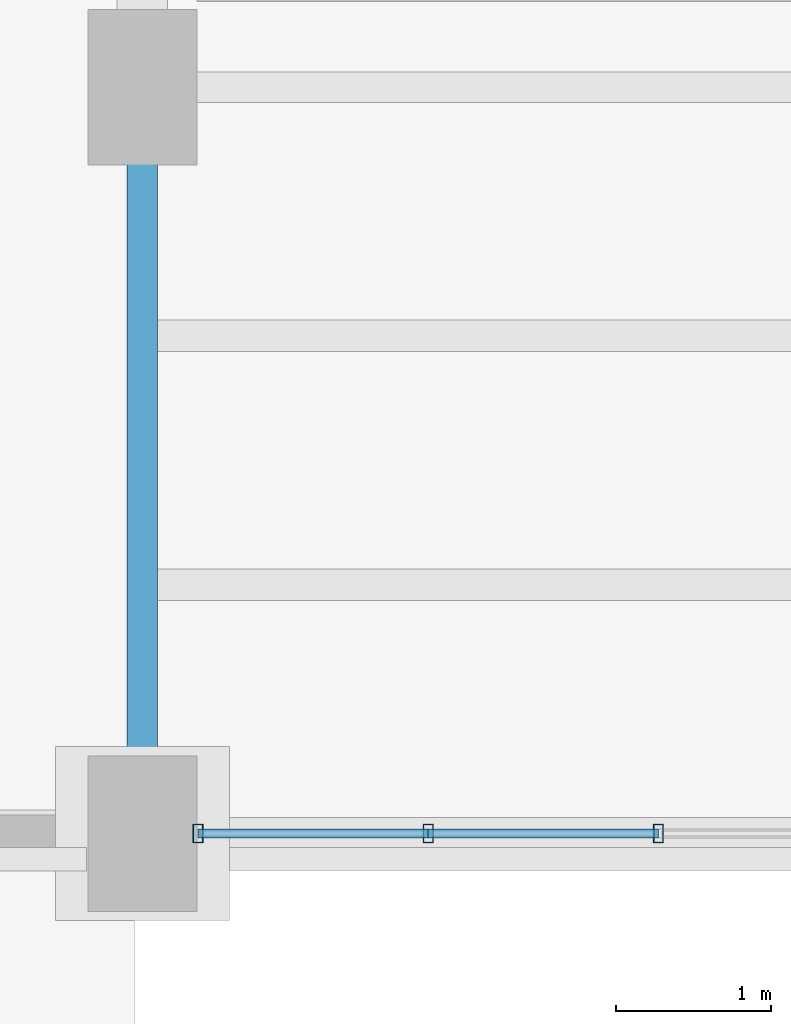
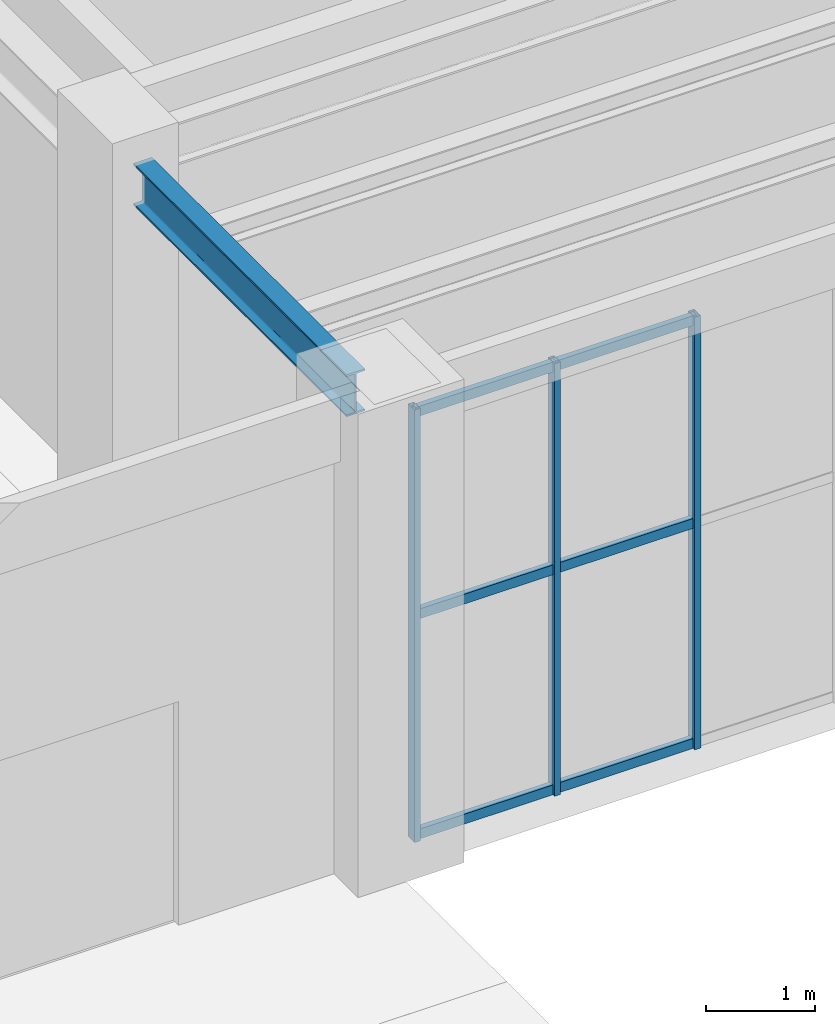
# One storey, part 53 of 164: 9 members, 1 beam, 1 element without a shape of its own.
"""IFC4 building model written with IfcOpenShell, lengths in metres."""

from ifc_helpers import new_model, si_unit, direction, frame, origin, origin_2d, place, context, subcontext, project, spatial, hollow_rectangle, i_section, extrude, material, material_profile, profile_set, type_object, element, aggregate, save


model = new_model("IFC4")

# Units and contexts
model_context = context("Model", 3, precision=1e-05, world=origin(), true_north=direction((0.0, 1.0)))
body_context = subcontext(model_context, "Body", "Model", "MODEL_VIEW")
ifc_project = project(units=[si_unit("LENGTHUNIT", "METRE"), si_unit("AREAUNIT", "SQUARE_METRE"), si_unit("VOLUMEUNIT", "CUBIC_METRE"), si_unit("PLANEANGLEUNIT", "RADIAN"), si_unit("MASSUNIT", "GRAM", prefix="KILO")], contexts=[model_context])

# Site, building, storey
site_placement = place(None, origin())
site = spatial("IfcSite", under=ifc_project, at=site_placement, CompositionType="ELEMENT")
building_placement = place(site_placement, origin())
building = spatial("IfcBuilding", under=site, at=building_placement, Name="Mavantir Sound Aquarium", CompositionType="ELEMENT")
storey_placement = place(building_placement, origin())
storey = spatial("IfcBuildingStorey", under=building, at=storey_placement, Name="L00", CompositionType="ELEMENT", Elevation=0.0)

# Beam
ifc_material_1 = material(Name="Structural Steel ASTM A992 Gr50", Category="steel")
ifc_material_profile_1 = material_profile(ifc_material_1, i_section(OverallWidth=0.194091796875, OverallDepth=0.468994140625, WebThickness=0.0126953125, FlangeThickness=0.0205078125, FilletRadius=0.01611328125, at=origin_2d()), Name="W460X106")
ifc_profile_set_1 = profile_set([ifc_material_profile_1], Name="Structural Steel ASTM A992 Gr50")
beam_type = type_object("IfcBeamType", Name="BM-W460X106-I", PredefinedType="BEAM", material=ifc_profile_set_1)
beam_placement = place(storey_placement, frame((108.0, 36.449951171875, 4.83154296875), z_axis=(0.0, 1.0, 0.0), x_axis=(-1.0, 0.0, 0.0)))
element("IfcBeam", 1, at=beam_placement, inside=storey, type_object=beam_type, Name="L00 primary girder SB-46 963", PredefinedType="BEAM", context=body_context, shape_type="SweptSolid", body=[
    extrude(i_section(OverallWidth=0.194091796875, OverallDepth=0.468994140625, WebThickness=0.0126953125, FlangeThickness=0.0205078125, FilletRadius=0.01611328125, at=origin_2d()), origin(), (0.0, 0.0, 1.0), 3.900146484375),
])

# Curtain wall, members
ifc_material_2 = material(Name="Anodised Marine Aluminium and Low-E Glass", Category="aluminium")
curtain_wall_type = type_object("IfcCurtainWallType", Name="CW-T20", PredefinedType="USERDEFINED", material=ifc_material_2)
curtain_wall_placement = place(storey_placement, origin())
curtain_wall = element("IfcCurtainWall", 2, at=curtain_wall_placement, inside=storey, type_object=curtain_wall_type, Name="L00 unitised curtain wall CW-20 20", ObjectType="UNITISED GLAZING", PredefinedType="USERDEFINED")
ifc_material_3 = material(Name="Anodised Marine Aluminium 6063-T6", Category="aluminium")
ifc_material_profile_2 = material_profile(ifc_material_3, hollow_rectangle(XDim=0.06494140625, YDim=0.1201171875, WallThickness=0.00390625, at=origin_2d()), Name="ALU-MULLION-120X65")
ifc_profile_set_2 = profile_set([ifc_material_profile_2], Name="Anodised Marine Aluminium 6063-T6")
member_type_1 = type_object("IfcMemberType", Name="CW-MUL-120", PredefinedType="MULLION", material=ifc_profile_set_2)
member_1_placement = place(storey_placement, frame((108.35791015625, 36.0, 0.0), z_axis=(0.0, 0.0, 1.0), x_axis=(1.0, 0.0, 0.0)))
member_1 = element("IfcMember", 3, at=member_1_placement, type_object=member_type_1, Name="CW-L00-020 vertical mullion 1", PredefinedType="MULLION", context=body_context, shape_type="SweptSolid", body=[
    extrude(hollow_rectangle(XDim=0.06494140625, YDim=0.1201171875, WallThickness=0.00390625, at=origin_2d()), origin(), (0.0, 0.0, 1.0), 4.8330078125),
])
member_2_placement = place(storey_placement, frame((109.838623046875, 36.0, 0.0), z_axis=(0.0, 0.0, 1.0), x_axis=(1.0, 0.0, 0.0)))
member_2 = element("IfcMember", 4, at=member_2_placement, type_object=member_type_1, Name="CW-L00-020 vertical mullion 2", PredefinedType="MULLION", context=body_context, shape_type="SweptSolid", body=[
    extrude(hollow_rectangle(XDim=0.06494140625, YDim=0.1201171875, WallThickness=0.00390625, at=origin_2d()), origin(), (0.0, 0.0, 1.0), 4.8330078125),
])
member_3_placement = place(storey_placement, frame((111.3193359375, 36.0, 0.0), z_axis=(0.0, 0.0, 1.0), x_axis=(1.0, 0.0, 0.0)))
member_3 = element("IfcMember", 5, at=member_3_placement, type_object=member_type_1, Name="CW-L00-020 vertical mullion 3", PredefinedType="MULLION", context=body_context, shape_type="SweptSolid", body=[
    extrude(hollow_rectangle(XDim=0.06494140625, YDim=0.1201171875, WallThickness=0.00390625, at=origin_2d()), origin(), (0.0, 0.0, 1.0), 4.8330078125),
])
ifc_material_profile_3 = material_profile(ifc_material_3, hollow_rectangle(XDim=0.06005859375, YDim=0.110107421875, WallThickness=0.00390625, at=origin_2d()), Name="ALU-TRANSOM-110X60")
ifc_profile_set_3 = profile_set([ifc_material_profile_3], Name="Anodised Marine Aluminium 6063-T6")
member_type_2 = type_object("IfcMemberType", Name="CW-TRN-110", PredefinedType="USERDEFINED", material=ifc_profile_set_3)
member_4_placement = place(storey_placement, frame((108.35791015625, 36.0, 0.054931640625), z_axis=(1.0, 0.0, 0.0), x_axis=(0.0, 1.0, 0.0)))
member_4 = element("IfcMember", 6, at=member_4_placement, type_object=member_type_2, Name="CW-L00-020 transom 1.1", ObjectType="TRANSOM", PredefinedType="USERDEFINED", context=body_context, shape_type="SweptSolid", body=[
    extrude(hollow_rectangle(XDim=0.06005859375, YDim=0.110107421875, WallThickness=0.00390625, at=origin_2d()), origin(), (0.0, 0.0, 1.0), 1.480712890625),
])
member_5_placement = place(storey_placement, frame((108.35791015625, 36.0, 2.51318359375), z_axis=(1.0, 0.0, 0.0), x_axis=(0.0, 1.0, 0.0)))
member_5 = element("IfcMember", 7, at=member_5_placement, type_object=member_type_2, Name="CW-L00-020 transom 1.2", ObjectType="TRANSOM", PredefinedType="USERDEFINED", context=body_context, shape_type="SweptSolid", body=[
    extrude(hollow_rectangle(XDim=0.06005859375, YDim=0.110107421875, WallThickness=0.00390625, at=origin_2d()), origin(), (0.0, 0.0, 1.0), 1.480712890625),
])
member_6_placement = place(storey_placement, frame((108.35791015625, 36.0, 4.778076171875), z_axis=(1.0, 0.0, 0.0), x_axis=(0.0, 1.0, 0.0)))
member_6 = element("IfcMember", 8, at=member_6_placement, type_object=member_type_2, Name="CW-L00-020 transom 1.3", ObjectType="TRANSOM", PredefinedType="USERDEFINED", context=body_context, shape_type="SweptSolid", body=[
    extrude(hollow_rectangle(XDim=0.06005859375, YDim=0.110107421875, WallThickness=0.00390625, at=origin_2d()), origin(), (0.0, 0.0, 1.0), 1.480712890625),
])
member_7_placement = place(storey_placement, frame((109.838623046875, 36.0, 0.054931640625), z_axis=(1.0, 0.0, 0.0), x_axis=(0.0, 1.0, 0.0)))
member_7 = element("IfcMember", 9, at=member_7_placement, type_object=member_type_2, Name="CW-L00-020 transom 2.1", ObjectType="TRANSOM", PredefinedType="USERDEFINED", context=body_context, shape_type="SweptSolid", body=[
    extrude(hollow_rectangle(XDim=0.06005859375, YDim=0.110107421875, WallThickness=0.00390625, at=origin_2d()), origin(), (0.0, 0.0, 1.0), 1.480712890625),
])
member_8_placement = place(storey_placement, frame((109.838623046875, 36.0, 2.51318359375), z_axis=(1.0, 0.0, 0.0), x_axis=(0.0, 1.0, 0.0)))
member_8 = element("IfcMember", 10, at=member_8_placement, type_object=member_type_2, Name="CW-L00-020 transom 2.2", ObjectType="TRANSOM", PredefinedType="USERDEFINED", context=body_context, shape_type="SweptSolid", body=[
    extrude(hollow_rectangle(XDim=0.06005859375, YDim=0.110107421875, WallThickness=0.00390625, at=origin_2d()), origin(), (0.0, 0.0, 1.0), 1.480712890625),
])
member_9_placement = place(storey_placement, frame((109.838623046875, 36.0, 4.778076171875), z_axis=(1.0, 0.0, 0.0), x_axis=(0.0, 1.0, 0.0)))
member_9 = element("IfcMember", 11, at=member_9_placement, type_object=member_type_2, Name="CW-L00-020 transom 2.3", ObjectType="TRANSOM", PredefinedType="USERDEFINED", context=body_context, shape_type="SweptSolid", body=[
    extrude(hollow_rectangle(XDim=0.06005859375, YDim=0.110107421875, WallThickness=0.00390625, at=origin_2d()), origin(), (0.0, 0.0, 1.0), 1.480712890625),
])
aggregate(curtain_wall, [member_1, member_2, member_3, member_4, member_5, member_6, member_7, member_8, member_9])

save(model, "model.ifc")
